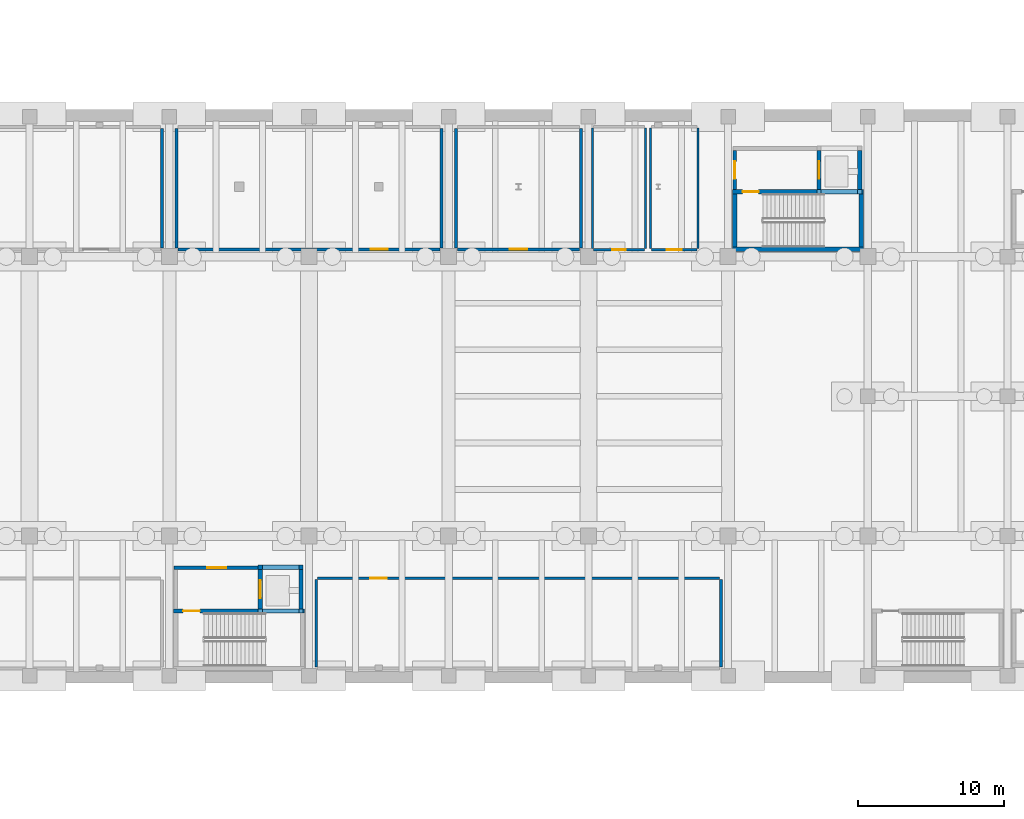
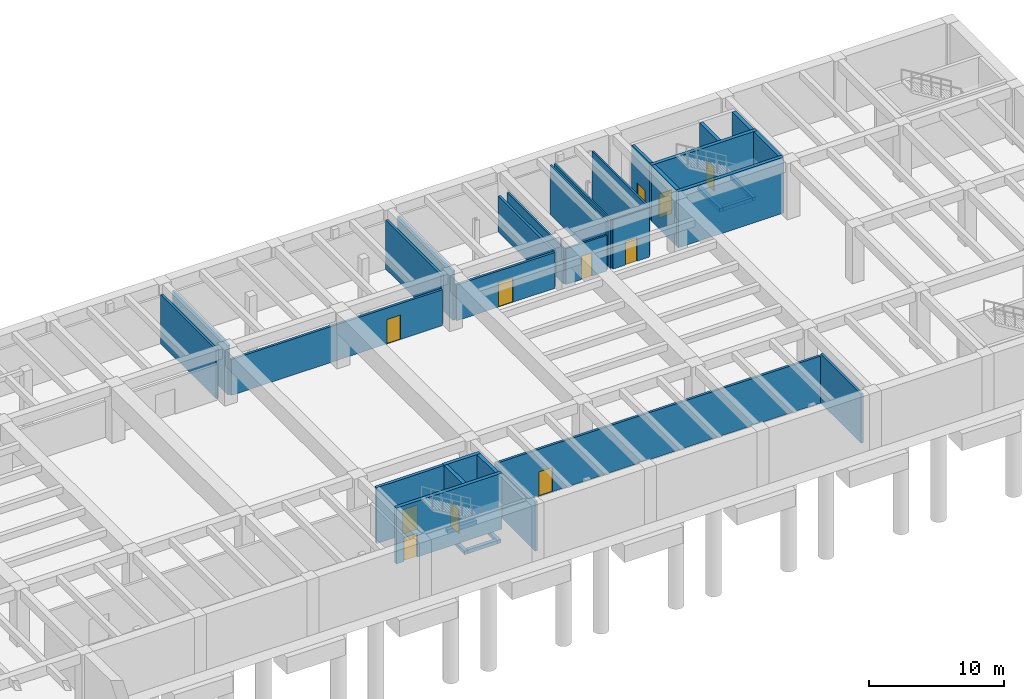
# One storey, part 11 of 24: 35 walls, 11 doors, 11 openings.
"""IFC4 building model written with IfcOpenShell, lengths in metres."""

from ifc_helpers import new_model, si_unit, direction, frame, frame_2d, origin, place, context, subcontext, project, spatial, rectangle, extrude, material, layer, layer_set, type_object, element, fill, save


model = new_model("IFC4")

# Units and contexts
model_context = context("Model", 3, precision=1e-05, world=origin(), true_north=direction((0.0, 1.0)))
body_context = subcontext(model_context, "Body", "Model", "MODEL_VIEW")
ifc_project = project(units=[si_unit("LENGTHUNIT", "METRE"), si_unit("AREAUNIT", "SQUARE_METRE"), si_unit("VOLUMEUNIT", "CUBIC_METRE"), si_unit("PLANEANGLEUNIT", "RADIAN"), si_unit("MASSUNIT", "GRAM", prefix="KILO")], contexts=[model_context])

# Site, building, storey
site_placement = place(None, origin())
site = spatial("IfcSite", under=ifc_project, at=site_placement, CompositionType="ELEMENT")
building_placement = place(site_placement, origin())
building = spatial("IfcBuilding", under=site, at=building_placement, Name="Coralgate Yard Interchange", CompositionType="ELEMENT")
storey_placement = place(building_placement, frame((0.0, 0.0, -10.800048828125)))
storey = spatial("IfcBuildingStorey", under=building, at=storey_placement, Name="B2", CompositionType="ELEMENT", Elevation=-10.800048828125)

# Wall, opening, door
ifc_material_1 = material(Name="Concrete C40/50", Category="concrete")
ifc_layer_1 = layer(ifc_material_1, 0.300048828125)
ifc_layer_set_1 = layer_set([ifc_layer_1], Name="Concrete C40/50")
wall_type_1 = type_object("IfcWallType", Name="WAL-CW300", PredefinedType="SHEAR", material=ifc_layer_set_1)
wall_1_placement = place(storey_placement, frame((95.699951171875, 42.85009765625, 0.0), z_axis=(0.0, 0.0, 1.0), x_axis=(-1.0, 0.0, 0.0)))
wall_1 = element("IfcWall", 1, at=wall_1_placement, inside=storey, type_object=wall_type_1, Name="C6 B2 stair north shear wall", PredefinedType="SHEAR", context=body_context, shape_type="SweptSolid", body=[
    extrude(rectangle(XDim=9.0, YDim=0.300048828125, at=frame_2d((4.5, 0.0))), origin(), (0.0, 0.0, 1.0), 5.050048828125),
])
opening_1_placement = place(wall_1_placement, frame((7.199951171875, 0.0, 0.0)))
opening_1 = element("IfcOpeningElement", 2, at=opening_1_placement, cuts=wall_1, Name="Opening FD-1B", PredefinedType="OPENING", context=body_context, shape_type="SweptSolid", body=[
    extrude(rectangle(XDim=1.14990234375, YDim=2.14990234375, at=frame_2d((0.574951171875, 1.074951171875))), frame((0.0, 0.159912109375, 0.0), z_axis=(0.0, -1.0, 0.0), x_axis=(1.0, 0.0, 0.0)), (0.0, 0.0, 1.0), 0.320068359375),
])
ifc_material_2 = material(Name="Powder-coated steel fire door assembly", Category="steel")
door_type_1 = type_object("IfcDoorType", Name="DOR-FD-1B", OperationType="NOTDEFINED", PredefinedType="DOOR", material=ifc_material_2)
door_1_placement = place(opening_1_placement, frame((1.14990234375, 0.0, 0.0), z_axis=(0.0, 0.0, 1.0), x_axis=(-1.0, 0.0, 0.0)))
door_1 = element("IfcDoor", 3, at=door_1_placement, inside=storey, type_object=door_type_1, Name="C6 B2 stair fire door", OperationType="SINGLE_SWING_RIGHT", OverallHeight=2.14990234375, OverallWidth=1.14990234375, PredefinedType="DOOR", context=body_context, shape_type="SweptSolid", body=[
    extrude(rectangle(XDim=1.14990234375, YDim=2.14990234375, at=frame_2d((0.574951171875, 1.074951171875))), frame((0.0, 0.02490234375, 0.0), z_axis=(0.0, -1.0, 0.0), x_axis=(1.0, 0.0, 0.0)), (0.0, 0.0, 1.0), 0.050048828125),
])
fill(opening_1, door_1)

wall_2_placement = place(storey_placement, frame((92.64990234375, 45.699951171875, 0.0), z_axis=(0.0, 0.0, 1.0), x_axis=(0.0, -1.0, 0.0)))
wall_2 = element("IfcWall", 4, at=wall_2_placement, inside=storey, type_object=wall_type_1, Name="C6 B2 lift front shear wall", PredefinedType="SHEAR", context=body_context, shape_type="SweptSolid", body=[
    extrude(rectangle(XDim=2.699951171875, YDim=0.300048828125, at=frame_2d((1.35009765625, 0.0))), origin(), (0.0, 0.0, 1.0), 5.050048828125),
])
opening_2_placement = place(wall_2_placement, frame((0.739990234375, 0.0, 0.0)))
opening_2 = element("IfcOpeningElement", 5, at=opening_2_placement, cuts=wall_2, Name="Opening LD-3", PredefinedType="OPENING", context=body_context, shape_type="SweptSolid", body=[
    extrude(rectangle(XDim=1.219970703125, YDim=2.14990234375, at=frame_2d((0.60986328125, 1.074951171875))), frame((0.0, 0.159912109375, 0.0), z_axis=(0.0, -1.0, 0.0), x_axis=(1.0, 0.0, 0.0)), (0.0, 0.0, 1.0), 0.320068359375),
])
ifc_material_3 = material(Name="Brushed stainless steel concourse lift landing door", Category="steel")
door_type_2 = type_object("IfcDoorType", Name="DOR-LD-3", OperationType="DOUBLE_DOOR_SLIDING", PredefinedType="DOOR", material=ifc_material_3)
door_2_placement = place(opening_2_placement, frame((1.219970703125, 0.0, 0.0), z_axis=(0.0, 0.0, 1.0), x_axis=(-1.0, 0.0, 0.0)))
door_2 = element("IfcDoor", 6, at=door_2_placement, inside=storey, type_object=door_type_2, Name="LF-04 B2 sliding lift landing door", OperationType="DOUBLE_DOOR_SLIDING", OverallHeight=2.14990234375, OverallWidth=1.219970703125, PredefinedType="DOOR", context=body_context, shape_type="SweptSolid", body=[
    extrude(rectangle(XDim=1.219970703125, YDim=2.14990234375, at=frame_2d((0.60986328125, 1.074951171875))), frame((0.0, 0.02490234375, 0.0), z_axis=(0.0, -1.0, 0.0), x_axis=(1.0, 0.0, 0.0)), (0.0, 0.0, 1.0), 0.050048828125),
])
fill(opening_2, door_2)

# Walls
wall_3_placement = place(storey_placement, frame((95.449951171875, 43.0, 0.0), z_axis=(0.0, 0.0, 1.0), x_axis=(0.0, 1.0, 0.0)))
element("IfcWall", 7, at=wall_3_placement, inside=storey, type_object=wall_type_1, Name="C6 B2 lift rear shear wall", PredefinedType="SHEAR", context=body_context, shape_type="SweptSolid", body=[
    extrude(rectangle(XDim=2.699951171875, YDim=0.300048828125, at=frame_2d((1.35009765625, 0.0))), origin(), (0.0, 0.0, 1.0), 5.050048828125),
])
wall_4_placement = place(storey_placement, frame((92.5, 45.85009765625, 0.0), z_axis=(0.0, 0.0, 1.0), x_axis=(1.0, 0.0, 0.0)))
element("IfcWall", 8, at=wall_4_placement, inside=storey, type_object=wall_type_1, Name="C6 B2 lift north shear wall", PredefinedType="SHEAR", context=body_context, shape_type="SweptSolid", body=[
    extrude(rectangle(XDim=3.10009765625, YDim=0.300048828125, at=frame_2d((1.550048828125, 0.0))), origin(), (0.0, 0.0, 1.0), 5.050048828125),
])
for number, where, z_axis, x_axis, name in (
    (9, (92.64990234375, 42.699951171875, -1.199951171875), (0.0, 0.0, 1.0), (0.0, 1.0, 0.0), "LF-04 lift pit wall W"),
    (10, (95.449951171875, 42.699951171875, -1.199951171875), (0.0, 0.0, 1.0), (0.0, 1.0, 0.0), "LF-04 lift pit wall E"),
):
    element("IfcWall", number, at=place(storey_placement, frame(where, z_axis=z_axis, x_axis=x_axis)), inside=storey, type_object=wall_type_1, Name=name, PredefinedType="SHEAR", context=body_context, shape_type="SweptSolid", body=[
        extrude(rectangle(XDim=3.300048828125, YDim=0.300048828125, at=frame_2d((1.64990234375, 0.0))), origin(), (0.0, 0.0, 1.0), 0.320068359375),
    ])
for number, where, z_axis, x_axis, name in (
    (11, (92.800048828125, 42.85009765625, -1.199951171875), (0.0, 0.0, 1.0), (1.0, 0.0, 0.0), "LF-04 lift pit wall S"),
    (12, (92.800048828125, 45.85009765625, -1.199951171875), (0.0, 0.0, 1.0), (1.0, 0.0, 0.0), "LF-04 lift pit wall N"),
):
    element("IfcWall", number, at=place(storey_placement, frame(where, z_axis=z_axis, x_axis=x_axis)), inside=storey, type_object=wall_type_1, Name=name, PredefinedType="SHEAR", context=body_context, shape_type="SweptSolid", body=[
        extrude(rectangle(XDim=2.5, YDim=0.300048828125, at=frame_2d((1.25, 0.0))), origin(), (0.0, 0.0, 1.0), 0.320068359375),
    ])
wall_5_placement = place(storey_placement, frame((125.10009765625, 67.699951171875, 0.0), z_axis=(0.0, 0.0, 1.0), x_axis=(1.0, 0.0, 0.0)))
element("IfcWall", 13, at=wall_5_placement, inside=storey, type_object=wall_type_1, Name="C7 B2 stair south shear wall", PredefinedType="SHEAR", context=body_context, shape_type="SweptSolid", body=[
    extrude(rectangle(XDim=9.0, YDim=0.300048828125, at=frame_2d((4.5, 0.0))), origin(), (0.0, 0.0, 1.0), 5.050048828125),
])

# Wall, opening, door
wall_6_placement = place(storey_placement, frame((134.10009765625, 71.64990234375, 0.0), z_axis=(0.0, 0.0, 1.0), x_axis=(-1.0, 0.0, 0.0)))
wall_6 = element("IfcWall", 14, at=wall_6_placement, inside=storey, type_object=wall_type_1, Name="C7 B2 stair north shear wall", PredefinedType="SHEAR", context=body_context, shape_type="SweptSolid", body=[
    extrude(rectangle(XDim=9.0, YDim=0.300048828125, at=frame_2d((4.5, 0.0))), origin(), (0.0, 0.0, 1.0), 5.050048828125),
])
opening_3_placement = place(wall_6_placement, frame((7.199951171875, 0.0, 0.0)))
opening_3 = element("IfcOpeningElement", 15, at=opening_3_placement, cuts=wall_6, Name="Opening FD-1", PredefinedType="OPENING", context=body_context, shape_type="SweptSolid", body=[
    extrude(rectangle(XDim=1.10009765625, YDim=2.14990234375, at=frame_2d((0.550048828125, 1.074951171875))), frame((0.0, 0.159912109375, 0.0), z_axis=(0.0, -1.0, 0.0), x_axis=(1.0, 0.0, 0.0)), (0.0, 0.0, 1.0), 0.320068359375),
])
door_type_3 = type_object("IfcDoorType", Name="DOR-FD-1", OperationType="NOTDEFINED", PredefinedType="DOOR", material=ifc_material_2)
door_3_placement = place(opening_3_placement, frame((1.10009765625, 0.0, 0.0), z_axis=(0.0, 0.0, 1.0), x_axis=(-1.0, 0.0, 0.0)))
door_3 = element("IfcDoor", 16, at=door_3_placement, inside=storey, type_object=door_type_3, Name="C7 B2 stair fire door", OperationType="SINGLE_SWING_LEFT", OverallHeight=2.14990234375, OverallWidth=1.10009765625, PredefinedType="DOOR", context=body_context, shape_type="SweptSolid", body=[
    extrude(rectangle(XDim=1.10009765625, YDim=2.14990234375, at=frame_2d((0.550048828125, 1.074951171875))), frame((0.0, 0.02490234375, 0.0), z_axis=(0.0, -1.0, 0.0), x_axis=(1.0, 0.0, 0.0)), (0.0, 0.0, 1.0), 0.050048828125),
])
fill(opening_3, door_3)

# Walls
for number, where, z_axis, x_axis, name in (
    (17, (125.25, 67.85009765625, 0.0), (0.0, 0.0, 1.0), (0.0, 1.0, 0.0), "C7 B2 stair west shear wall"),
    (18, (133.949951171875, 71.5, 0.0), (0.0, 0.0, 1.0), (0.0, -1.0, 0.0), "C7 B2 stair east shear wall"),
):
    element("IfcWall", number, at=place(storey_placement, frame(where, z_axis=z_axis, x_axis=x_axis)), inside=storey, type_object=wall_type_1, Name=name, PredefinedType="SHEAR", context=body_context, shape_type="SweptSolid", body=[
        extrude(rectangle(XDim=3.64990234375, YDim=0.300048828125, at=frame_2d((1.824951171875, 0.0))), origin(), (0.0, 0.0, 1.0), 5.050048828125),
    ])

# Wall, opening, door
wall_7_placement = place(storey_placement, frame((131.050048828125, 74.5, 0.0), z_axis=(0.0, 0.0, 1.0), x_axis=(0.0, -1.0, 0.0)))
wall_7 = element("IfcWall", 19, at=wall_7_placement, inside=storey, type_object=wall_type_1, Name="C7 B2 lift front shear wall", PredefinedType="SHEAR", context=body_context, shape_type="SweptSolid", body=[
    extrude(rectangle(XDim=2.699951171875, YDim=0.300048828125, at=frame_2d((1.35009765625, 0.0))), origin(), (0.0, 0.0, 1.0), 5.050048828125),
])
opening_4_placement = place(wall_7_placement, frame((0.739990234375, 0.0, 0.0)))
opening_4 = element("IfcOpeningElement", 20, at=opening_4_placement, cuts=wall_7, Name="Opening LD-3", PredefinedType="OPENING", context=body_context, shape_type="SweptSolid", body=[
    extrude(rectangle(XDim=1.219970703125, YDim=2.14990234375, at=frame_2d((0.60986328125, 1.074951171875))), frame((0.0, 0.159912109375, 0.0), z_axis=(0.0, -1.0, 0.0), x_axis=(1.0, 0.0, 0.0)), (0.0, 0.0, 1.0), 0.320068359375),
])
door_4_placement = place(opening_4_placement, frame((1.219970703125, 0.0, 0.0), z_axis=(0.0, 0.0, 1.0), x_axis=(-1.0, 0.0, 0.0)))
door_4 = element("IfcDoor", 21, at=door_4_placement, inside=storey, type_object=door_type_2, Name="LF-05 B2 sliding lift landing door", OperationType="DOUBLE_DOOR_SLIDING", OverallHeight=2.14990234375, OverallWidth=1.219970703125, PredefinedType="DOOR", context=body_context, shape_type="SweptSolid", body=[
    extrude(rectangle(XDim=1.219970703125, YDim=2.14990234375, at=frame_2d((0.60986328125, 1.074951171875))), frame((0.0, 0.02490234375, 0.0), z_axis=(0.0, -1.0, 0.0), x_axis=(1.0, 0.0, 0.0)), (0.0, 0.0, 1.0), 0.050048828125),
])
fill(opening_4, door_4)

# Walls
wall_8_placement = place(storey_placement, frame((133.85009765625, 71.800048828125, 0.0), z_axis=(0.0, 0.0, 1.0), x_axis=(0.0, 1.0, 0.0)))
element("IfcWall", 22, at=wall_8_placement, inside=storey, type_object=wall_type_1, Name="C7 B2 lift rear shear wall", PredefinedType="SHEAR", context=body_context, shape_type="SweptSolid", body=[
    extrude(rectangle(XDim=2.699951171875, YDim=0.300048828125, at=frame_2d((1.35009765625, 0.0))), origin(), (0.0, 0.0, 1.0), 5.050048828125),
])
for number, where, z_axis, x_axis, name in (
    (23, (131.050048828125, 71.5, -1.199951171875), (0.0, 0.0, 1.0), (0.0, 1.0, 0.0), "LF-05 lift pit wall W"),
    (24, (133.85009765625, 71.5, -1.199951171875), (0.0, 0.0, 1.0), (0.0, 1.0, 0.0), "LF-05 lift pit wall E"),
):
    element("IfcWall", number, at=place(storey_placement, frame(where, z_axis=z_axis, x_axis=x_axis)), inside=storey, type_object=wall_type_1, Name=name, PredefinedType="SHEAR", context=body_context, shape_type="SweptSolid", body=[
        extrude(rectangle(XDim=3.300048828125, YDim=0.300048828125, at=frame_2d((1.64990234375, 0.0))), origin(), (0.0, 0.0, 1.0), 0.320068359375),
    ])
wall_9_placement = place(storey_placement, frame((131.199951171875, 71.64990234375, -1.199951171875), z_axis=(0.0, 0.0, 1.0), x_axis=(1.0, 0.0, 0.0)))
element("IfcWall", 25, at=wall_9_placement, inside=storey, type_object=wall_type_1, Name="LF-05 lift pit wall S", PredefinedType="SHEAR", context=body_context, shape_type="SweptSolid", body=[
    extrude(rectangle(XDim=2.5, YDim=0.300048828125, at=frame_2d((1.25, 0.0))), origin(), (0.0, 0.0, 1.0), 0.320068359375),
])

# Wall, opening, door
ifc_material_4 = material(Name="Moisture-resistant masonry washroom wall", Category="masonry")
ifc_layer_2 = layer(ifc_material_4, 0.14990234375)
ifc_layer_set_2 = layer_set([ifc_layer_2], Name="Moisture-resistant masonry washroom wall")
wall_type_2 = type_object("IfcWallType", Name="WAL-PW-150", PredefinedType="PLUMBINGWALL", material=ifc_layer_set_2)
wall_10_placement = place(storey_placement, frame((119.050048828125, 67.675048828125, 0.0), z_axis=(0.0, 0.0, 1.0), x_axis=(-1.0, 0.0, 0.0)))
wall_10 = element("IfcWall", 26, at=wall_10_placement, inside=storey, type_object=wall_type_2, Name="B2 Staff Washroom partition S", PredefinedType="PLUMBINGWALL", context=body_context, shape_type="SweptSolid", body=[
    extrude(rectangle(XDim=3.5, YDim=0.14990234375, at=frame_2d((1.75, 0.0))), origin(), (0.0, 0.0, 1.0), 3.239990234375),
])
opening_5_placement = place(wall_10_placement, frame((1.300048828125, 0.0, 0.0)))
opening_5 = element("IfcOpeningElement", 27, at=opening_5_placement, cuts=wall_10, Name="Opening ID-10", PredefinedType="OPENING", context=body_context, shape_type="SweptSolid", body=[
    extrude(rectangle(XDim=0.89990234375, YDim=2.10009765625, at=frame_2d((0.449951171875, 1.050048828125))), frame((0.0, 0.0849609375, 0.0), z_axis=(0.0, -1.0, 0.0), x_axis=(1.0, 0.0, 0.0)), (0.0, 0.0, 1.0), 0.169921875),
])
ifc_material_5 = material(Name="Moisture-resistant laminate washroom door")
door_type_4 = type_object("IfcDoorType", Name="DOR-ID-10", OperationType="NOTDEFINED", PredefinedType="DOOR", material=ifc_material_5)
door_5_placement = place(opening_5_placement, frame((0.89990234375, 0.0, 0.0), z_axis=(0.0, 0.0, 1.0), x_axis=(-1.0, 0.0, 0.0)))
door_5 = element("IfcDoor", 28, at=door_5_placement, inside=storey, type_object=door_type_4, Name="B2 Staff Washroom door", OperationType="SINGLE_SWING_LEFT", OverallHeight=2.10009765625, OverallWidth=0.89990234375, PredefinedType="DOOR", context=body_context, shape_type="SweptSolid", body=[
    extrude(rectangle(XDim=0.89990234375, YDim=2.10009765625, at=frame_2d((0.449951171875, 1.050048828125))), frame((0.0, 0.02490234375, 0.0), z_axis=(0.0, -1.0, 0.0), x_axis=(1.0, 0.0, 0.0)), (0.0, 0.0, 1.0), 0.050048828125),
])
fill(opening_5, door_5)

# Walls
wall_11_placement = place(storey_placement, frame((115.47509765625, 67.75, 0.0), z_axis=(0.0, 0.0, 1.0), x_axis=(0.0, 1.0, 0.0)))
element("IfcWall", 29, at=wall_11_placement, inside=storey, type_object=wall_type_2, Name="B2 Staff Washroom partition W", PredefinedType="PLUMBINGWALL", context=body_context, shape_type="SweptSolid", body=[
    extrude(rectangle(XDim=8.300048828125, YDim=0.14990234375, at=frame_2d((4.14990234375, 0.0))), origin(), (0.0, 0.0, 1.0), 3.239990234375),
])
wall_12_placement = place(storey_placement, frame((119.125, 76.050048828125, 0.0), z_axis=(0.0, 0.0, 1.0), x_axis=(0.0, -1.0, 0.0)))
element("IfcWall", 30, at=wall_12_placement, inside=storey, type_object=wall_type_2, Name="B2 Staff Washroom partition E", PredefinedType="PLUMBINGWALL", context=body_context, shape_type="SweptSolid", body=[
    extrude(rectangle(XDim=8.300048828125, YDim=0.14990234375, at=frame_2d((4.14990234375, 0.0))), origin(), (0.0, 0.0, 1.0), 4.429931640625),
])

# Wall, opening, door
wall_13_placement = place(storey_placement, frame((122.64990234375, 67.675048828125, 0.0), z_axis=(0.0, 0.0, 1.0), x_axis=(-1.0, 0.0, 0.0)))
wall_13 = element("IfcWall", 31, at=wall_13_placement, inside=storey, type_object=wall_type_2, Name="B2 Accessible WC partition S", PredefinedType="PLUMBINGWALL", context=body_context, shape_type="SweptSolid", body=[
    extrude(rectangle(XDim=3.099853515625, YDim=0.14990234375, at=frame_2d((1.5498046875, 0.0))), origin(), (0.0, 0.0, 1.0), 4.429931640625),
])
opening_6_placement = place(wall_13_placement, frame((1.050048828125, 0.0, 0.0)))
opening_6 = element("IfcOpeningElement", 32, at=opening_6_placement, cuts=wall_13, Name="Opening ID-02", PredefinedType="OPENING", context=body_context, shape_type="SweptSolid", body=[
    extrude(rectangle(XDim=1.0, YDim=2.14990234375, at=frame_2d((0.5, 1.074951171875))), frame((0.0, 0.0849609375, 0.0), z_axis=(0.0, -1.0, 0.0), x_axis=(1.0, 0.0, 0.0)), (0.0, 0.0, 1.0), 0.169921875),
])
ifc_material_6 = material(Name="Accessible wide-leaf washroom and office door")
door_type_5 = type_object("IfcDoorType", Name="DOR-ID-02", OperationType="NOTDEFINED", PredefinedType="DOOR", material=ifc_material_6)
door_6_placement = place(opening_6_placement, frame((1.0, 0.0, 0.0), z_axis=(0.0, 0.0, 1.0), x_axis=(-1.0, 0.0, 0.0)))
door_6 = element("IfcDoor", 33, at=door_6_placement, inside=storey, type_object=door_type_5, Name="B2 Accessible WC door", OperationType="SINGLE_SWING_RIGHT", OverallHeight=2.14990234375, OverallWidth=1.0, PredefinedType="DOOR", context=body_context, shape_type="SweptSolid", body=[
    extrude(rectangle(XDim=1.0, YDim=2.14990234375, at=frame_2d((0.5, 1.074951171875))), frame((0.0, 0.02490234375, 0.0), z_axis=(0.0, -1.0, 0.0), x_axis=(1.0, 0.0, 0.0)), (0.0, 0.0, 1.0), 0.050048828125),
])
fill(opening_6, door_6)

# Walls
for number, where, z_axis, x_axis, name in (
    (34, (119.47509765625, 67.75, 0.0), (0.0, 0.0, 1.0), (0.0, 1.0, 0.0), "B2 Accessible WC partition W"),
    (35, (122.72509765625, 76.050048828125, 0.0), (0.0, 0.0, 1.0), (0.0, -1.0, 0.0), "B2 Accessible WC partition E"),
):
    element("IfcWall", number, at=place(storey_placement, frame(where, z_axis=z_axis, x_axis=x_axis)), inside=storey, type_object=wall_type_2, Name=name, PredefinedType="PLUMBINGWALL", context=body_context, shape_type="SweptSolid", body=[
        extrude(rectangle(XDim=8.300048828125, YDim=0.14990234375, at=frame_2d((4.14990234375, 0.0))), origin(), (0.0, 0.0, 1.0), 4.429931640625),
    ])
ifc_material_7 = material(Name="Concrete blockwork masonry", Category="masonry")
ifc_layer_3 = layer(ifc_material_7, 0.199951171875)
ifc_layer_set_3 = layer_set([ifc_layer_3], Name="Concrete blockwork masonry")
wall_type_3 = type_object("IfcWallType", Name="WAL-PW-200", PredefinedType="PARTITIONING", material=ifc_layer_set_3)
wall_14_placement = place(storey_placement, frame((85.89990234375, 76.0, 0.0), z_axis=(0.0, 0.0, 1.0), x_axis=(0.0, -1.0, 0.0)))
element("IfcWall", 36, at=wall_14_placement, inside=storey, type_object=wall_type_3, Name="Seepage and Fire Pump Room partition E", PredefinedType="PARTITIONING", context=body_context, shape_type="SweptSolid", body=[
    extrude(rectangle(XDim=8.199951171875, YDim=0.199951171875, at=frame_2d((4.10009765625, 0.0))), origin(), (0.0, 0.0, 1.0), 4.429931640625),
])

# Wall, opening, door
wall_15_placement = place(storey_placement, frame((105.0, 67.699951171875, 0.0), z_axis=(0.0, 0.0, 1.0), x_axis=(-1.0, 0.0, 0.0)))
wall_15 = element("IfcWall", 37, at=wall_15_placement, inside=storey, type_object=wall_type_3, Name="Trackside Signal Relay Room partition S", PredefinedType="PARTITIONING", context=body_context, shape_type="SweptSolid", body=[
    extrude(rectangle(XDim=18.0, YDim=0.199951171875, at=frame_2d((9.0, 0.0))), origin(), (0.0, 0.0, 1.0), 3.239990234375),
])
opening_7_placement = place(wall_15_placement, frame((3.60009765625, 0.0, 0.0)))
opening_7 = element("IfcOpeningElement", 38, at=opening_7_placement, cuts=wall_15, Name="Opening ID-15", PredefinedType="OPENING", context=body_context, shape_type="SweptSolid", body=[
    extrude(rectangle(XDim=1.14990234375, YDim=2.199951171875, at=frame_2d((0.574951171875, 1.10009765625))), frame((0.0, 0.10986328125, 0.0), z_axis=(0.0, -1.0, 0.0), x_axis=(1.0, 0.0, 0.0)), (0.0, 0.0, 1.0), 0.219970703125),
])
ifc_material_8 = material(Name="Steel electrical riser and UPS door", Category="steel")
door_type_6 = type_object("IfcDoorType", Name="DOR-ID-15", OperationType="NOTDEFINED", PredefinedType="DOOR", material=ifc_material_8)
door_7_placement = place(opening_7_placement, origin())
door_7 = element("IfcDoor", 39, at=door_7_placement, inside=storey, type_object=door_type_6, Name="Trackside Signal Relay Room door", OperationType="SINGLE_SWING_LEFT", OverallHeight=2.199951171875, OverallWidth=1.14990234375, PredefinedType="DOOR", context=body_context, shape_type="SweptSolid", body=[
    extrude(rectangle(XDim=1.14990234375, YDim=2.199951171875, at=frame_2d((0.574951171875, 1.10009765625))), frame((0.0, 0.02490234375, 0.0), z_axis=(0.0, -1.0, 0.0), x_axis=(1.0, 0.0, 0.0)), (0.0, 0.0, 1.0), 0.050048828125),
])
fill(opening_7, door_7)

# Walls
for number, where, z_axis, x_axis, name in (
    (40, (86.89990234375, 67.800048828125, 0.0), (0.0, 0.0, 1.0), (0.0, 1.0, 0.0), "Trackside Signal Relay Room partition W"),
    (41, (105.10009765625, 76.0, 0.0), (0.0, 0.0, 1.0), (0.0, -1.0, 0.0), "Trackside Signal Relay Room partition E"),
):
    element("IfcWall", number, at=place(storey_placement, frame(where, z_axis=z_axis, x_axis=x_axis)), inside=storey, type_object=wall_type_3, Name=name, PredefinedType="PARTITIONING", context=body_context, shape_type="SweptSolid", body=[
        extrude(rectangle(XDim=8.199951171875, YDim=0.199951171875, at=frame_2d((4.10009765625, 0.0))), origin(), (0.0, 0.0, 1.0), 4.429931640625),
    ])

# Wall, opening, door
wall_16_placement = place(storey_placement, frame((114.60009765625, 67.699951171875, 0.0), z_axis=(0.0, 0.0, 1.0), x_axis=(-1.0, 0.0, 0.0)))
wall_16 = element("IfcWall", 42, at=wall_16_placement, inside=storey, type_object=wall_type_3, Name="Platform Equipment Store partition S", PredefinedType="PARTITIONING", context=body_context, shape_type="SweptSolid", body=[
    extrude(rectangle(XDim=8.400146484375, YDim=0.199951171875, at=frame_2d((4.2001953125, 0.0))), origin(), (0.0, 0.0, 1.0), 3.239990234375),
])
opening_8_placement = place(wall_16_placement, frame((3.60009765625, 0.0, 0.0)))
opening_8 = element("IfcOpeningElement", 43, at=opening_8_placement, cuts=wall_16, Name="Opening ID-05", PredefinedType="OPENING", context=body_context, shape_type="SweptSolid", body=[
    extrude(rectangle(XDim=1.199951171875, YDim=2.199951171875, at=frame_2d((0.60009765625, 1.10009765625))), frame((0.0, 0.10986328125, 0.0), z_axis=(0.0, -1.0, 0.0), x_axis=(1.0, 0.0, 0.0)), (0.0, 0.0, 1.0), 0.219970703125),
])
ifc_material_9 = material(Name="Powder-coated steel plant and store fire door", Category="steel")
door_type_7 = type_object("IfcDoorType", Name="DOR-ID-05", OperationType="NOTDEFINED", PredefinedType="DOOR", material=ifc_material_9)
door_8_placement = place(opening_8_placement, frame((1.199951171875, 0.0, 0.0), z_axis=(0.0, 0.0, 1.0), x_axis=(-1.0, 0.0, 0.0)))
door_8 = element("IfcDoor", 44, at=door_8_placement, inside=storey, type_object=door_type_7, Name="Platform Equipment Store door", OperationType="SINGLE_SWING_RIGHT", OverallHeight=2.199951171875, OverallWidth=1.199951171875, PredefinedType="DOOR", context=body_context, shape_type="SweptSolid", body=[
    extrude(rectangle(XDim=1.199951171875, YDim=2.199951171875, at=frame_2d((0.60009765625, 1.10009765625))), frame((0.0, 0.02490234375, 0.0), z_axis=(0.0, -1.0, 0.0), x_axis=(1.0, 0.0, 0.0)), (0.0, 0.0, 1.0), 0.050048828125),
])
fill(opening_8, door_8)

# Walls
wall_17_placement = place(storey_placement, frame((106.10009765625, 67.800048828125, 0.0), z_axis=(0.0, 0.0, 1.0), x_axis=(0.0, 1.0, 0.0)))
element("IfcWall", 45, at=wall_17_placement, inside=storey, type_object=wall_type_3, Name="Platform Equipment Store partition W", PredefinedType="PARTITIONING", context=body_context, shape_type="SweptSolid", body=[
    extrude(rectangle(XDim=8.199951171875, YDim=0.199951171875, at=frame_2d((4.10009765625, 0.0))), origin(), (0.0, 0.0, 1.0), 4.429931640625),
])
wall_18_placement = place(storey_placement, frame((114.699951171875, 76.0, 0.0), z_axis=(0.0, 0.0, 1.0), x_axis=(0.0, -1.0, 0.0)))
element("IfcWall", 46, at=wall_18_placement, inside=storey, type_object=wall_type_3, Name="Platform Equipment Store partition E", PredefinedType="PARTITIONING", context=body_context, shape_type="SweptSolid", body=[
    extrude(rectangle(XDim=8.199951171875, YDim=0.199951171875, at=frame_2d((4.10009765625, 0.0))), origin(), (0.0, 0.0, 1.0), 3.239990234375),
])

# Wall, opening, door
wall_19_placement = place(storey_placement, frame((96.60009765625, 45.10009765625, 0.0), z_axis=(0.0, 0.0, 1.0), x_axis=(1.0, 0.0, 0.0)))
wall_19 = element("IfcWall", 47, at=wall_19_placement, inside=storey, type_object=wall_type_3, Name="Emergency Tunnel Lighting Battery Room partition N", PredefinedType="PARTITIONING", context=body_context, shape_type="SweptSolid", body=[
    extrude(rectangle(XDim=27.599853515625, YDim=0.199951171875, at=frame_2d((13.7998046875, 0.0))), origin(), (0.0, 0.0, 1.0), 4.239990234375),
])
opening_9_placement = place(wall_19_placement, frame((3.60009765625, 0.0, 0.0)))
opening_9 = element("IfcOpeningElement", 48, at=opening_9_placement, cuts=wall_19, Name="Opening ID-15", PredefinedType="OPENING", context=body_context, shape_type="SweptSolid", body=[
    extrude(rectangle(XDim=1.14990234375, YDim=2.199951171875, at=frame_2d((0.574951171875, 1.10009765625))), frame((0.0, 0.10986328125, 0.0), z_axis=(0.0, -1.0, 0.0), x_axis=(1.0, 0.0, 0.0)), (0.0, 0.0, 1.0), 0.219970703125),
])
door_9_placement = place(opening_9_placement, origin())
door_9 = element("IfcDoor", 49, at=door_9_placement, inside=storey, type_object=door_type_6, Name="Emergency Tunnel Lighting Battery Room door", OperationType="SINGLE_SWING_LEFT", OverallHeight=2.199951171875, OverallWidth=1.14990234375, PredefinedType="DOOR", context=body_context, shape_type="SweptSolid", body=[
    extrude(rectangle(XDim=1.14990234375, YDim=2.199951171875, at=frame_2d((0.574951171875, 1.10009765625))), frame((0.0, 0.02490234375, 0.0), z_axis=(0.0, -1.0, 0.0), x_axis=(1.0, 0.0, 0.0)), (0.0, 0.0, 1.0), 0.050048828125),
])
fill(opening_9, door_9)

# Walls
for number, where, z_axis, x_axis, name in (
    (50, (96.5, 39.0, 0.0), (0.0, 0.0, 1.0), (0.0, 1.0, 0.0), "Emergency Tunnel Lighting Battery Room partition W"),
    (51, (124.300048828125, 45.0, 0.0), (0.0, 0.0, 1.0), (0.0, -1.0, 0.0), "Emergency Tunnel Lighting Battery Room partition E"),
):
    element("IfcWall", number, at=place(storey_placement, frame(where, z_axis=z_axis, x_axis=x_axis)), inside=storey, type_object=wall_type_3, Name=name, PredefinedType="PARTITIONING", context=body_context, shape_type="SweptSolid", body=[
        extrude(rectangle(XDim=6.0, YDim=0.199951171875, at=frame_2d((3.0, 0.0))), origin(), (0.0, 0.0, 1.0), 4.429931640625),
    ])

# Wall, opening, door
ifc_layer_4 = layer(ifc_material_1, 0.25)
ifc_layer_set_4 = layer_set([ifc_layer_4], Name="Concrete C40/50")
wall_type_4 = type_object("IfcWallType", Name="WAL-SW250", PredefinedType="SHEAR", material=ifc_layer_set_4)
wall_20_placement = place(storey_placement, frame((92.5, 45.824951171875, 0.0), z_axis=(0.0, 0.0, 1.0), x_axis=(-1.0, 0.0, 0.0)))
wall_20 = element("IfcWall", 52, at=wall_20_placement, inside=storey, type_object=wall_type_4, Name="C6 B2 lobby north fire wall", PredefinedType="SHEAR", context=body_context, shape_type="SweptSolid", body=[
    extrude(rectangle(XDim=5.77490234375, YDim=0.25, at=frame_2d((2.887451171875, 0.0))), origin(), (0.0, 0.0, 1.0), 5.050048828125),
])
opening_10_placement = place(wall_20_placement, frame((2.199951171875, 0.0, 0.0)))
opening_10 = element("IfcOpeningElement", 53, at=opening_10_placement, cuts=wall_20, Name="Opening FD-2B", PredefinedType="OPENING", context=body_context, shape_type="SweptSolid", body=[
    extrude(rectangle(XDim=1.280029296875, YDim=2.199951171875, at=frame_2d((0.64013671875, 1.10009765625))), frame((0.0, 0.135009765625, 0.0), z_axis=(0.0, -1.0, 0.0), x_axis=(1.0, 0.0, 0.0)), (0.0, 0.0, 1.0), 0.27001953125),
])
door_type_8 = type_object("IfcDoorType", Name="DOR-FD-2B", OperationType="NOTDEFINED", PredefinedType="DOOR", material=ifc_material_2)
door_10_placement = place(opening_10_placement, origin())
door_10 = element("IfcDoor", 54, at=door_10_placement, inside=storey, type_object=door_type_8, Name="C6 B2 lobby fire door", OperationType="SINGLE_SWING_LEFT", OverallHeight=2.199951171875, OverallWidth=1.280029296875, PredefinedType="DOOR", context=body_context, shape_type="SweptSolid", body=[
    extrude(rectangle(XDim=1.280029296875, YDim=2.199951171875, at=frame_2d((0.64013671875, 1.10009765625))), frame((0.0, 0.02490234375, 0.0), z_axis=(0.0, -1.0, 0.0), x_axis=(1.0, 0.0, 0.0)), (0.0, 0.0, 1.0), 0.050048828125),
])
fill(opening_10, door_10)

wall_21_placement = place(storey_placement, frame((125.25, 71.800048828125, 0.0), z_axis=(0.0, 0.0, 1.0), x_axis=(0.0, 1.0, 0.0)))
wall_21 = element("IfcWall", 55, at=wall_21_placement, inside=storey, type_object=wall_type_4, Name="C7 B2 lobby west fire wall", PredefinedType="SHEAR", context=body_context, shape_type="SweptSolid", body=[
    extrude(rectangle(XDim=2.699951171875, YDim=0.25, at=frame_2d((1.35009765625, 0.0))), origin(), (0.0, 0.0, 1.0), 5.050048828125),
])
opening_11_placement = place(wall_21_placement, frame((0.75, 0.0, 0.0)))
opening_11 = element("IfcOpeningElement", 56, at=opening_11_placement, cuts=wall_21, Name="Opening FD-2", PredefinedType="OPENING", context=body_context, shape_type="SweptSolid", body=[
    extrude(rectangle(XDim=1.199951171875, YDim=2.14990234375, at=frame_2d((0.60009765625, 1.074951171875))), frame((0.0, 0.135009765625, 0.0), z_axis=(0.0, -1.0, 0.0), x_axis=(1.0, 0.0, 0.0)), (0.0, 0.0, 1.0), 0.27001953125),
])
door_type_9 = type_object("IfcDoorType", Name="DOR-FD-2", OperationType="NOTDEFINED", PredefinedType="DOOR", material=ifc_material_2)
door_11_placement = place(opening_11_placement, frame((1.199951171875, 0.0, 0.0), z_axis=(0.0, 0.0, 1.0), x_axis=(-1.0, 0.0, 0.0)))
door_11 = element("IfcDoor", 57, at=door_11_placement, inside=storey, type_object=door_type_9, Name="C7 B2 lobby fire door", OperationType="SINGLE_SWING_RIGHT", OverallHeight=2.14990234375, OverallWidth=1.199951171875, PredefinedType="DOOR", context=body_context, shape_type="SweptSolid", body=[
    extrude(rectangle(XDim=1.199951171875, YDim=2.14990234375, at=frame_2d((0.60009765625, 1.074951171875))), frame((0.0, 0.02490234375, 0.0), z_axis=(0.0, -1.0, 0.0), x_axis=(1.0, 0.0, 0.0)), (0.0, 0.0, 1.0), 0.050048828125),
])
fill(opening_11, door_11)

save(model, "model.ifc")
